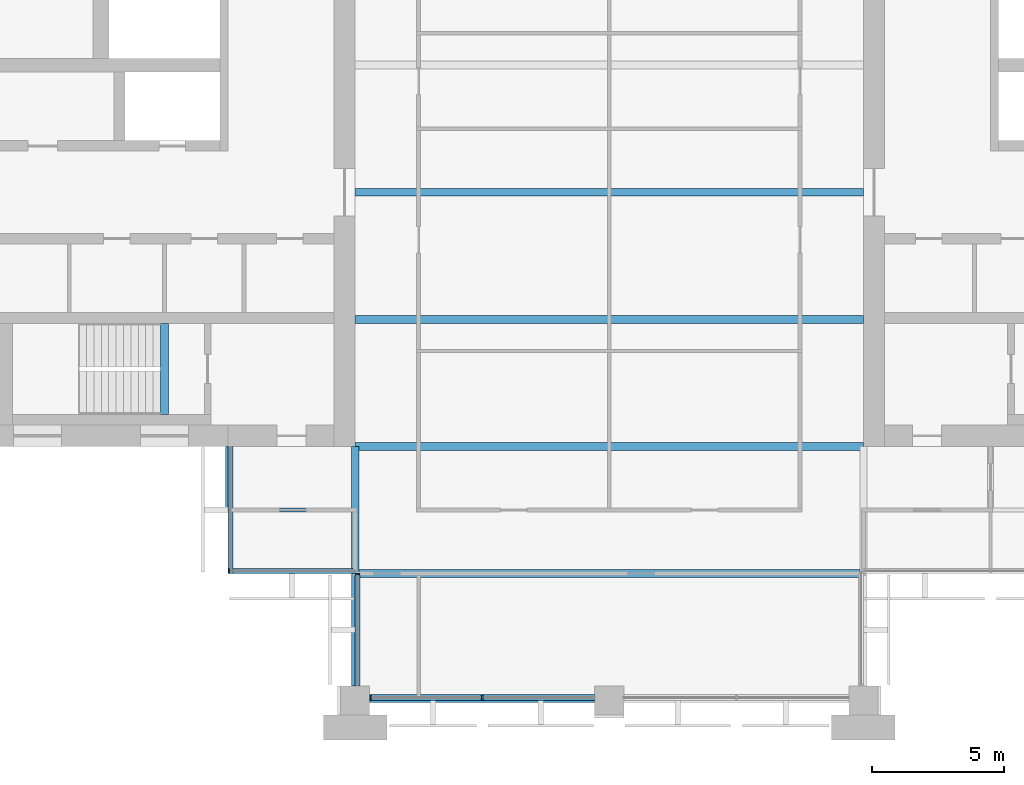
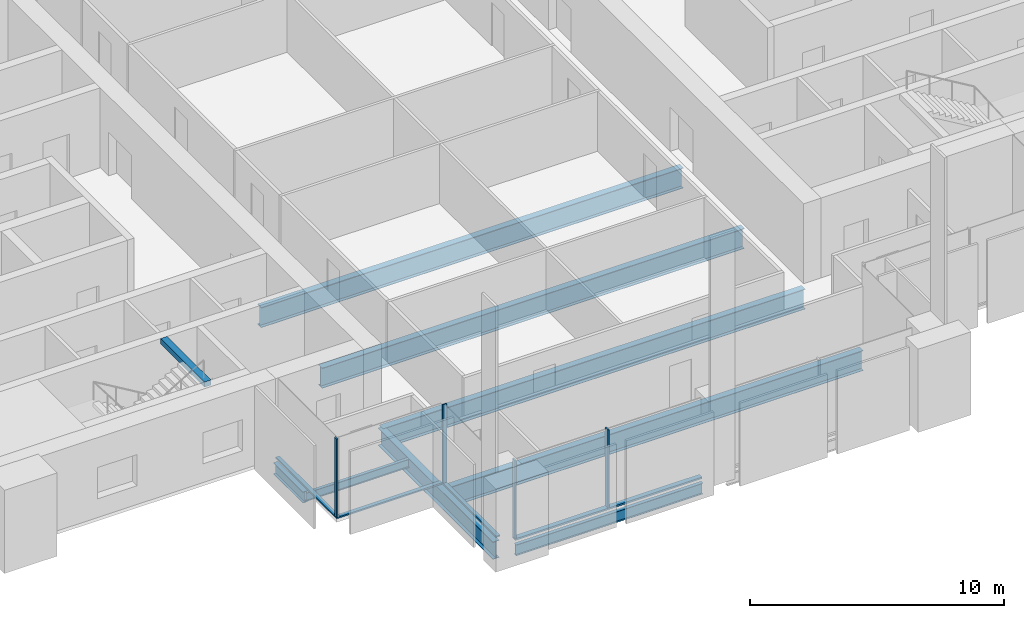
# One storey, part 2 of 13: 9 beams, 8 members, 4 elements without a shape of their own.
"""IFC4 building model written with IfcOpenShell, lengths in metres."""

from ifc_helpers import new_model, si_unit, direction, frame, origin, origin_2d, place, context, subcontext, project, spatial, rectangle, i_section, extrude, material, material_profile, profile_set, type_object, element, aggregate, save


model = new_model("IFC4")

# Units and contexts
model_context = context("Model", 3, precision=1e-05, world=origin(), true_north=direction((0.0, 1.0)))
body_context = subcontext(model_context, "Body", "Model", "MODEL_VIEW")
ifc_project = project(units=[si_unit("LENGTHUNIT", "METRE"), si_unit("AREAUNIT", "SQUARE_METRE"), si_unit("VOLUMEUNIT", "CUBIC_METRE"), si_unit("PLANEANGLEUNIT", "RADIAN"), si_unit("MASSUNIT", "GRAM", prefix="KILO")], contexts=[model_context])

# Site, building, storey
site_placement = place(None, origin())
site = spatial("IfcSite", under=ifc_project, at=site_placement, CompositionType="ELEMENT")
building_placement = place(site_placement, origin())
building = spatial("IfcBuilding", under=site, at=building_placement, Name="Baori Bourse Tower", CompositionType="ELEMENT")
storey_placement = place(building_placement, frame((0.0, 0.0, 225.199951171875)))
storey = spatial("IfcBuildingStorey", under=building, at=storey_placement, Name="L49", CompositionType="ELEMENT", Elevation=225.199951171875)

# Curtain wall, member
ifc_material_1 = material(Name="Pale anodised aluminium", Category="aluminium")
curtain_wall_type_1 = type_object("IfcCurtainWallType", Name="CW2 Curtain wall", PredefinedType="NOTDEFINED", material=ifc_material_1)
curtain_wall_1_placement = place(storey_placement, origin())
curtain_wall_1 = element("IfcCurtainWall", 1, at=curtain_wall_1_placement, inside=storey, type_object=curtain_wall_type_1, Name="Curtain wall CW2 L49 9", PredefinedType="NOTDEFINED")
ifc_material_2 = material(Name="Pale anodised aluminium", Category="aluminium")
ifc_material_profile_1 = material_profile(ifc_material_2, rectangle(XDim=0.179931640625, YDim=0.054931640625, at=origin_2d()), Name="Mullion 55x180")
ifc_profile_set_1 = profile_set([ifc_material_profile_1], Name="Pale anodised aluminium")
member_type_1 = type_object("IfcMemberType", Name="CW2 Curtain wall mullion", PredefinedType="MULLION", material=ifc_profile_set_1)
member_1_placement = place(storey_placement, frame((14.427490234375, 4.889892578125, 0.070068359375), z_axis=(0.0, 0.0, 1.0), x_axis=(0.0, 1.0, 0.0)))
member_1 = element("IfcMember", 2, at=member_1_placement, type_object=member_type_1, Name="Curtain wall CW2 mullion", PredefinedType="MULLION", context=body_context, shape_type="SweptSolid", body=[
    extrude(rectangle(XDim=0.179931640625, YDim=0.054931640625, at=origin_2d()), origin(), (0.0, 0.0, 1.0), 3.77001953125),
])

curtain_wall_2_placement = place(storey_placement, origin())
curtain_wall_2 = element("IfcCurtainWall", 3, at=curtain_wall_2_placement, inside=storey, type_object=curtain_wall_type_1, Name="Curtain wall CW2 L49 10", PredefinedType="NOTDEFINED")
member_2_placement = place(storey_placement, frame((19.2900390625, 4.7724609375, 0.070068359375), z_axis=(0.0, 0.0, 1.0), x_axis=(1.0, 0.0, 0.0)))
member_2 = element("IfcMember", 4, at=member_2_placement, type_object=member_type_1, Name="Curtain wall CW2 mullion", PredefinedType="MULLION", context=body_context, shape_type="SweptSolid", body=[
    extrude(rectangle(XDim=0.179931640625, YDim=0.054931640625, at=origin_2d()), origin(), (0.0, 0.0, 1.0), 3.77001953125),
])

curtain_wall_3_placement = place(storey_placement, origin())
curtain_wall_3 = element("IfcCurtainWall", 5, at=curtain_wall_3_placement, inside=storey, type_object=curtain_wall_type_1, Name="Curtain wall CW2 L49 8", PredefinedType="NOTDEFINED")
ifc_material_3 = material(Name="Pale anodised aluminium", Category="aluminium")
ifc_material_profile_2 = material_profile(ifc_material_3, rectangle(XDim=0.179931640625, YDim=0.070068359375, at=origin_2d()), Name="Transom 70x180")
ifc_profile_set_2 = profile_set([ifc_material_profile_2], Name="Pale anodised aluminium")
member_type_2 = type_object("IfcMemberType", Name="CW2 Curtain wall transom", PredefinedType="USERDEFINED", material=ifc_profile_set_2)
member_3_placement = place(storey_placement, frame((14.489990234375, 9.60009765625, 0.03515625), z_axis=(0.0, -1.0, 0.0), x_axis=(1.0, 0.0, 0.0)))
member_3 = element("IfcMember", 6, at=member_3_placement, type_object=member_type_2, Name="Curtain wall CW2 sill rail", ObjectType="TRANSOM", PredefinedType="USERDEFINED", context=body_context, shape_type="SweptSolid", body=[
    extrude(rectangle(XDim=0.179931640625, YDim=0.070068359375, at=origin_2d()), origin(), (0.0, 0.0, 1.0), 4.800048828125),
])
aggregate(curtain_wall_3, [member_3])

# Member
member_4_placement = place(storey_placement, frame((14.39990234375, 4.889892578125, 0.03515625), z_axis=(1.0, 0.0, 0.0), x_axis=(0.0, 1.0, 0.0)))
member_4 = element("IfcMember", 7, at=member_4_placement, type_object=member_type_2, Name="Curtain wall CW2 sill rail", ObjectType="TRANSOM", PredefinedType="USERDEFINED", context=body_context, shape_type="SweptSolid", body=[
    extrude(rectangle(XDim=0.179931640625, YDim=0.070068359375, at=origin_2d()), origin(), (0.0, 0.0, 1.0), 4.800048828125),
])

aggregate(curtain_wall_1, [member_4, member_1])

member_5_placement = place(storey_placement, frame((19.2900390625, 4.800048828125, 0.03515625), z_axis=(0.0, -1.0, 0.0), x_axis=(1.0, 0.0, 0.0)))
member_5 = element("IfcMember", 8, at=member_5_placement, type_object=member_type_2, Name="Curtain wall CW2 sill rail", ObjectType="TRANSOM", PredefinedType="USERDEFINED", context=body_context, shape_type="SweptSolid", body=[
    extrude(rectangle(XDim=0.179931640625, YDim=0.070068359375, at=origin_2d()), origin(), (0.0, 0.0, 1.0), 4.25),
])

aggregate(curtain_wall_2, [member_5, member_2])

# Curtain wall, members
ifc_material_4 = material(Name="Pale anodised aluminium", Category="aluminium")
curtain_wall_type_2 = type_object("IfcCurtainWallType", Name="CW5 Curtain wall", PredefinedType="NOTDEFINED", material=ifc_material_4)
curtain_wall_4_placement = place(storey_placement, origin())
curtain_wall_4 = element("IfcCurtainWall", 9, at=curtain_wall_4_placement, inside=storey, type_object=curtain_wall_type_2, Name="Curtain wall CW5 L49 11", PredefinedType="NOTDEFINED")
ifc_material_5 = material(Name="Pale anodised aluminium", Category="aluminium")
ifc_material_profile_3 = material_profile(ifc_material_5, rectangle(XDim=0.219970703125, YDim=0.06494140625, at=origin_2d()), Name="Mullion 65x220")
ifc_profile_set_3 = profile_set([ifc_material_profile_3], Name="Pale anodised aluminium")
member_type_3 = type_object("IfcMemberType", Name="CW5 Curtain wall mullion", PredefinedType="MULLION", material=ifc_profile_set_3)
member_6_placement = place(storey_placement, frame((19.782470703125, 0.110107421875, 0.0849609375), z_axis=(0.0, 0.0, 1.0), x_axis=(0.0, 1.0, 0.0)))
member_6 = element("IfcMember", 10, at=member_6_placement, type_object=member_type_3, Name="Curtain wall CW5 mullion", PredefinedType="MULLION", context=body_context, shape_type="SweptSolid", body=[
    extrude(rectangle(XDim=0.219970703125, YDim=0.06494140625, at=origin_2d()), origin(), (0.0, 0.0, 1.0), 3.755126953125),
])
member_7_placement = place(storey_placement, frame((24.0, 0.110107421875, 0.0849609375), z_axis=(0.0, 0.0, 1.0), x_axis=(0.0, 1.0, 0.0)))
member_7 = element("IfcMember", 11, at=member_7_placement, type_object=member_type_3, Name="Curtain wall CW5 mullion", PredefinedType="MULLION", context=body_context, shape_type="SweptSolid", body=[
    extrude(rectangle(XDim=0.219970703125, YDim=0.06494140625, at=origin_2d()), origin(), (0.0, 0.0, 1.0), 3.755126953125),
])
ifc_material_6 = material(Name="Pale anodised aluminium", Category="aluminium")
ifc_material_profile_4 = material_profile(ifc_material_6, rectangle(XDim=0.219970703125, YDim=0.0849609375, at=origin_2d()), Name="Transom 85x220")
ifc_profile_set_4 = profile_set([ifc_material_profile_4], Name="Pale anodised aluminium")
member_type_4 = type_object("IfcMemberType", Name="CW5 Curtain wall transom", PredefinedType="USERDEFINED", material=ifc_profile_set_4)
member_8_placement = place(storey_placement, frame((19.75, 0.110107421875, 0.04248046875), z_axis=(1.0, 0.0, 0.0), x_axis=(0.0, 1.0, 0.0)))
member_8 = element("IfcMember", 12, at=member_8_placement, type_object=member_type_4, Name="Curtain wall CW5 sill rail", ObjectType="TRANSOM", PredefinedType="USERDEFINED", context=body_context, shape_type="SweptSolid", body=[
    extrude(rectangle(XDim=0.219970703125, YDim=0.0849609375, at=origin_2d()), origin(), (0.0, 0.0, 1.0), 8.5),
])
aggregate(curtain_wall_4, [member_8, member_6, member_7])

# Beams
ifc_material_7 = material(Name="Steel A992 Gr 50", Category="steel")
ifc_material_profile_5 = material_profile(ifc_material_7, i_section(OverallWidth=0.21240234375, OverallDepth=0.54345703125, WebThickness=0.01318359375, FlangeThickness=0.021240234375, at=origin_2d()), Name="W21x83")
ifc_profile_set_5 = profile_set([ifc_material_profile_5], Name="Steel A992 Gr 50")
beam_type_1 = type_object("IfcBeamType", Name="Core bracket W21x83", PredefinedType="BEAM", material=ifc_profile_set_5)
beam_1_placement = place(storey_placement, frame((14.39990234375, 7.270263671875, -0.431640625), z_axis=(0.0, 1.0, 0.0), x_axis=(-1.0, 0.0, 0.0)))
element("IfcBeam", 13, at=beam_1_placement, inside=storey, type_object=beam_type_1, Name="Core bracket L49", PredefinedType="BEAM", context=body_context, shape_type="SweptSolid", body=[
    extrude(i_section(OverallWidth=0.21240234375, OverallDepth=0.54345703125, WebThickness=0.01318359375, FlangeThickness=0.021240234375, at=origin_2d()), origin(), (0.0, 0.0, 1.0), 2.329833984375),
])
ifc_material_8 = material(Name="Steel A992 Gr 50", Category="steel")
ifc_material_profile_6 = material_profile(ifc_material_8, i_section(OverallWidth=0.1650390625, OverallDepth=0.52587890625, WebThickness=0.0087890625, FlangeThickness=0.011474609375, at=origin_2d()), Name="W21x44")
ifc_profile_set_6 = profile_set([ifc_material_profile_6], Name="Steel A992 Gr 50")
beam_type_2 = type_object("IfcBeamType", Name="Edge beam W21x44", PredefinedType="BEAM", material=ifc_profile_set_6)
beam_2_placement = place(storey_placement, frame((19.75, 0.0, -0.4228515625), z_axis=(1.0, 0.0, 0.0), x_axis=(0.0, 1.0, 0.0)))
element("IfcBeam", 14, at=beam_2_placement, inside=storey, type_object=beam_type_2, Name="Edge beam L49", PredefinedType="BEAM", context=body_context, shape_type="SweptSolid", body=[
    extrude(i_section(OverallWidth=0.1650390625, OverallDepth=0.52587890625, WebThickness=0.0087890625, FlangeThickness=0.011474609375, at=origin_2d()), origin(), (0.0, 0.0, 1.0), 8.5),
])
ifc_material_9 = material(Name="Steel A992 Gr 50", Category="steel")
ifc_material_profile_7 = material_profile(ifc_material_9, i_section(OverallWidth=0.2998046875, OverallDepth=0.97021484375, WebThickness=0.01611328125, FlangeThickness=0.02099609375, at=origin_2d()), Name="W40x149")
ifc_profile_set_7 = profile_set([ifc_material_profile_7], Name="Steel A992 Gr 50")
beam_type_3 = type_object("IfcBeamType", Name="Floor beam W40x149", PredefinedType="BEAM", material=ifc_profile_set_7)
beam_3_placement = place(storey_placement, frame((19.345947265625, 4.800048828125, -0.64501953125), z_axis=(1.0, 0.0, 0.0), x_axis=(0.0, 1.0, 0.0)))
element("IfcBeam", 15, at=beam_3_placement, inside=storey, type_object=beam_type_3, Name="Floor beam L49", PredefinedType="BEAM", context=body_context, shape_type="SweptSolid", body=[
    extrude(i_section(OverallWidth=0.2998046875, OverallDepth=0.97021484375, WebThickness=0.01611328125, FlangeThickness=0.02099609375, at=origin_2d()), origin(), (0.0, 0.0, 1.0), 18.920654296875),
])
for number, where, z_axis, x_axis, name in (
    (16, (19.199951171875, 9.60009765625, -0.64501953125), (1.0, 0.0, 0.0), (0.0, 1.0, 0.0), "Floor beam L49"),
    (17, (19.199951171875, 14.39990234375, -0.64501953125), (1.0, 0.0, 0.0), (0.0, 1.0, 0.0), "Floor beam L49"),
    (18, (19.199951171875, 19.199951171875, -0.64501953125), (1.0, 0.0, 0.0), (0.0, 1.0, 0.0), "Floor beam L49"),
):
    element("IfcBeam", number, at=place(storey_placement, frame(where, z_axis=z_axis, x_axis=x_axis)), inside=storey, type_object=beam_type_3, Name=name, PredefinedType="BEAM", context=body_context, shape_type="SweptSolid", body=[
        extrude(i_section(OverallWidth=0.2998046875, OverallDepth=0.97021484375, WebThickness=0.01611328125, FlangeThickness=0.02099609375, at=origin_2d()), origin(), (0.0, 0.0, 1.0), 19.199951171875),
    ])
ifc_material_10 = material(Name="Steel A992 Gr 50", Category="steel")
ifc_material_profile_8 = material_profile(ifc_material_10, i_section(OverallWidth=0.2919921875, OverallDepth=0.835693359375, WebThickness=0.013916015625, FlangeThickness=0.018798828125, at=origin_2d()), Name="W33x118")
ifc_profile_set_8 = profile_set([ifc_material_profile_8], Name="Steel A992 Gr 50")
beam_type_4 = type_object("IfcBeamType", Name="Girder W33x118", PredefinedType="BEAM", material=ifc_profile_set_8)
beam_4_placement = place(storey_placement, frame((19.199951171875, 0.550048828125, -0.577880859375), z_axis=(0.0, 1.0, 0.0), x_axis=(-1.0, 0.0, 0.0)))
element("IfcBeam", 19, at=beam_4_placement, inside=storey, type_object=beam_type_4, Name="Girder L49", PredefinedType="BEAM", context=body_context, shape_type="SweptSolid", body=[
    extrude(i_section(OverallWidth=0.2919921875, OverallDepth=0.835693359375, WebThickness=0.013916015625, FlangeThickness=0.018798828125, at=origin_2d()), origin(), (0.0, 0.0, 1.0), 9.050048828125),
])
ifc_material_11 = material(Name="Concrete f'c 50 MPa", Category="concrete")
ifc_material_profile_9 = material_profile(ifc_material_11, rectangle(XDim=0.300048828125, YDim=0.25, at=origin_2d()), Name="RC 300x250")
ifc_profile_set_9 = profile_set([ifc_material_profile_9], Name="Concrete f'c 50 MPa")
beam_type_5 = type_object("IfcBeamType", Name="Stair nib beam RC 300x250", PredefinedType="BEAM", material=ifc_profile_set_9)
beam_5_placement = place(storey_placement, frame((12.0, 10.800048828125, 3.715087890625), z_axis=(0.0, 1.0, 0.0), x_axis=(-1.0, 0.0, 0.0)))
element("IfcBeam", 20, at=beam_5_placement, inside=storey, type_object=beam_type_5, Name="Stair WA nib beam L50", PredefinedType="BEAM", context=body_context, shape_type="SweptSolid", body=[
    extrude(rectangle(XDim=0.300048828125, YDim=0.25, at=origin_2d()), origin(), (0.0, 0.0, 1.0), 3.449951171875),
])
ifc_material_12 = material(Name="Steel A992 Gr 50", Category="steel")
ifc_material_profile_10 = material_profile(ifc_material_12, i_section(OverallWidth=0.140380859375, OverallDepth=0.40380859375, WebThickness=0.007080078125, FlangeThickness=0.01123046875, at=origin_2d()), Name="W16x31")
ifc_profile_set_10 = profile_set([ifc_material_profile_10], Name="Steel A992 Gr 50")
beam_type_6 = type_object("IfcBeamType", Name="Trimmer beam W16x31", PredefinedType="BEAM", material=ifc_profile_set_10)
beam_6_placement = place(storey_placement, frame((14.39990234375, 7.199951171875, -0.36181640625), z_axis=(1.0, 0.0, 0.0), x_axis=(0.0, 1.0, 0.0)))
element("IfcBeam", 21, at=beam_6_placement, inside=storey, type_object=beam_type_6, Name="Trimmer beam L49", PredefinedType="BEAM", context=body_context, shape_type="SweptSolid", body=[
    extrude(i_section(OverallWidth=0.140380859375, OverallDepth=0.40380859375, WebThickness=0.007080078125, FlangeThickness=0.01123046875, at=origin_2d()), origin(), (0.0, 0.0, 1.0), 4.654052734375),
])

save(model, "model.ifc")
